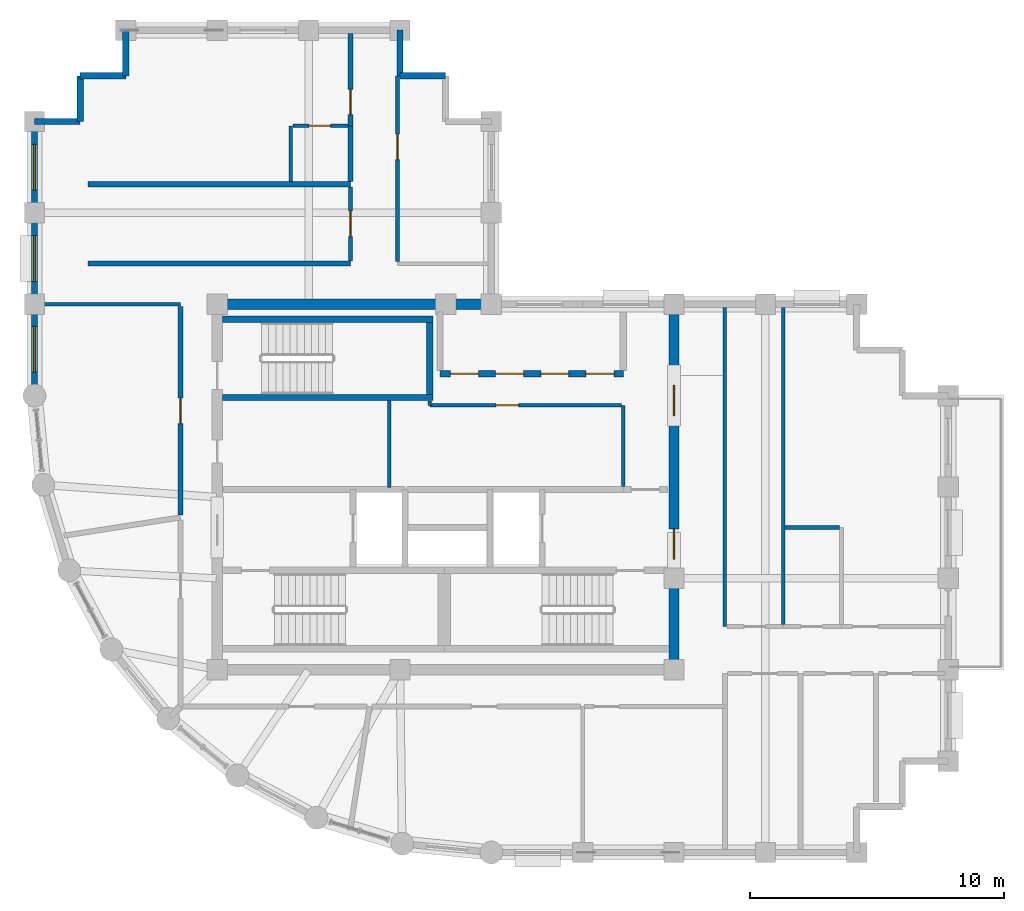
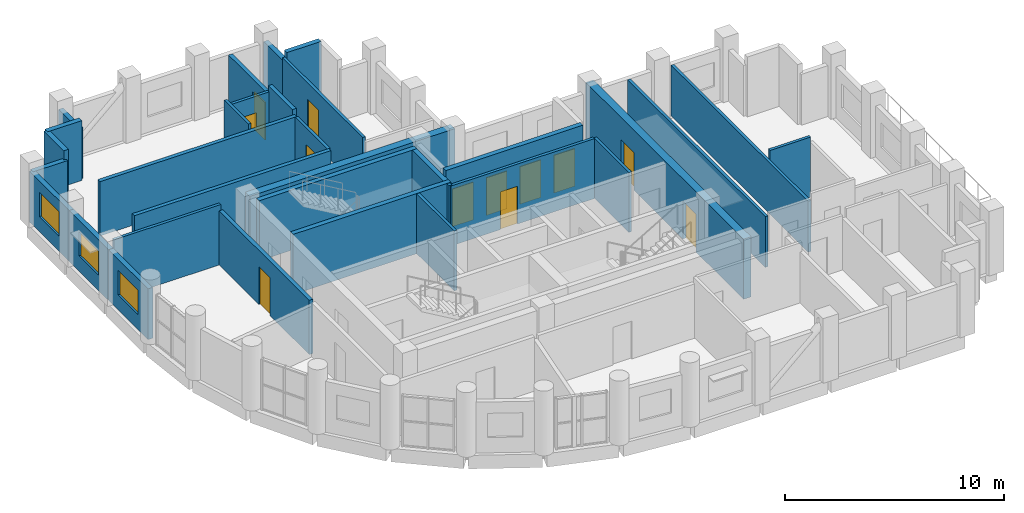
# One storey, part 8 of 12: 32 walls, 12 doors, 3 windows, 15 openings.
"""IFC4 building model written with IfcOpenShell, lengths in metres."""

import ifcopenshell
import ifcopenshell.guid

model = None  # the IFC model being written
_history = None  # IfcOwnerHistory: only IFC2X3 demands one
_inside = {}  # id of a spatial element -> (the spatial element, [elements in it])
_under = {}  # id of a project, library or spatial element -> (it, [spatial elements below it])
_declared = {}  # id of a project -> (the project, [libraries it declares])
_typed = {}  # id of a type object -> (the type object, [elements of that type])
_made_of = {}  # id of a material, layer set ... -> (it, [elements and type objects made of it])


def new_model(schema):
    """Start an empty IFC model of exactly this schema.

    Asked for "IFC4X3", IfcOpenShell would pick the latest addendum, in which some entities
    have other attributes; the version numbers below select the first issue.
    IFC2X3 requires an IfcOwnerHistory on every rooted entity: one is made here for all.
    """
    global model, _history
    if schema == "IFC4X3":
        model = ifcopenshell.file(schema_version=(4, 3, 0, 0))
    else:
        model = ifcopenshell.file(schema=schema)
    _inside.clear()
    _under.clear()
    _declared.clear()
    _typed.clear()
    _made_of.clear()
    _history = None
    if model.schema == "IFC2X3":
        org = make("IfcOrganization", Name="unknown")
        user = make(
            "IfcPersonAndOrganization",
            ThePerson=make("IfcPerson", FamilyName="unknown"),
            TheOrganization=org,
        )
        app = make(
            "IfcApplication",
            ApplicationDeveloper=org,
            Version="unknown",
            ApplicationFullName="unknown",
            ApplicationIdentifier="unknown",
        )
        _history = make(
            "IfcOwnerHistory",
            OwningUser=user,
            OwningApplication=app,
            ChangeAction="ADDED",
            CreationDate=0,
        )
    return model


def make(cls, **values):
    """One entity of the class cls with the attributes given. An attribute that is None is left unset."""
    return model.create_entity(
        cls, **{name: value for name, value in values.items() if value is not None}
    )


def rooted(cls, **values):
    """An entity with a GlobalId (a new one), such as an element, a storey or a relation."""
    return make(cls, GlobalId=ifcopenshell.guid.new(), OwnerHistory=_history, **values)


def si_unit(unit_type, name, prefix=None):
    """IfcSIUnit, for example si_unit("LENGTHUNIT", "METRE", prefix="MILLI")."""
    return make("IfcSIUnit", UnitType=unit_type, Prefix=prefix, Name=name)


def assignment(units):
    """IfcUnitAssignment: the units of a project."""
    return None if units is None else make("IfcUnitAssignment", Units=units)


def point(xyz):
    """IfcCartesianPoint."""
    return None if xyz is None else make("IfcCartesianPoint", Coordinates=xyz)


def direction(xyz):
    """IfcDirection."""
    return None if xyz is None else make("IfcDirection", DirectionRatios=xyz)


def frame(location, z_axis=None, x_axis=None):
    """IfcAxis2Placement3D, a coordinate frame: its origin and axes. An axis left out is left unset."""
    return make(
        "IfcAxis2Placement3D",
        Location=point(location),
        Axis=direction(z_axis),
        RefDirection=direction(x_axis),
    )


def frame_2d(location, x_axis=None):
    """IfcAxis2Placement2D, a coordinate frame in the plane: its origin and x axis."""
    return make(
        "IfcAxis2Placement2D", Location=point(location), RefDirection=direction(x_axis)
    )


def origin():
    """The frame at (0, 0, 0) with its axes left unset."""
    return frame((0.0, 0.0, 0.0))


def place(relative_to, where):
    """IfcLocalPlacement: puts the frame where relative to a parent placement (None: the world)."""
    return make(
        "IfcLocalPlacement", PlacementRelTo=relative_to, RelativePlacement=where
    )


def context(
    kind, dimensions, precision=None, world=None, true_north=None, identifier=None
):
    """IfcGeometricRepresentationContext, for example the 3D "Model" context."""
    return make(
        "IfcGeometricRepresentationContext",
        ContextIdentifier=identifier,
        ContextType=kind,
        CoordinateSpaceDimension=dimensions,
        Precision=precision,
        WorldCoordinateSystem=world,
        TrueNorth=true_north,
    )


def subcontext(parent, identifier, kind, view, scale=None):
    """IfcGeometricRepresentationSubContext, for example "Body" below "Model"."""
    return make(
        "IfcGeometricRepresentationSubContext",
        ContextIdentifier=identifier,
        ContextType=kind,
        ParentContext=parent,
        TargetScale=scale,
        TargetView=view,
    )


def project(units=None, contexts=None):
    """IfcProject with its units and contexts."""
    return rooted(
        "IfcProject",
        Name="project",
        RepresentationContexts=contexts,
        UnitsInContext=assignment(units),
    )


def spatial(cls, under=None, at=None, **own):
    """A site, building, storey or space (cls), placed at a placement, below another one or the project."""
    s = rooted(cls, ObjectPlacement=at, **own)
    if under is not None:
        _under.setdefault(under.id(), (under, []))[1].append(s)
    return s


def profile(cls, at=None, kind="AREA", **sizes):
    """A parametric profile (cls). Its sizes go by their IFC names, for example OverallWidth=200.0."""
    return make(cls, ProfileType=kind, Position=at, **sizes)


def rectangle(**sizes):
    """IfcRectangleProfileDef."""
    return profile("IfcRectangleProfileDef", **sizes)


def extrude(swept, where, along, depth):
    """IfcExtrudedAreaSolid: the profile swept, set in the frame where, extruded along a direction by depth."""
    return make(
        "IfcExtrudedAreaSolid",
        SweptArea=swept,
        Position=where,
        ExtrudedDirection=direction(along),
        Depth=depth,
    )


def shape(context_of_items, identifier, shape_type, items):
    """IfcShapeRepresentation: the items that make up one representation, for example the "Body"."""
    return make(
        "IfcShapeRepresentation",
        ContextOfItems=context_of_items,
        RepresentationIdentifier=identifier,
        RepresentationType=shape_type,
        Items=items,
    )


def material(Name=None, Category=None):
    """IfcMaterial."""
    return make("IfcMaterial", Name=Name, Category=Category)


def layer(
    of_material, thickness, ventilated=None, Name=None, Category=None, Priority=None
):
    """IfcMaterialLayer: one layer of a wall or slab, of a material (None: an air gap)."""
    return make(
        "IfcMaterialLayer",
        Material=of_material,
        LayerThickness=thickness,
        IsVentilated=ventilated,
        Name=Name,
        Category=Category,
        Priority=Priority,
    )


def layer_set(layers, Name=None):
    """IfcMaterialLayerSet."""
    return make("IfcMaterialLayerSet", MaterialLayers=layers, LayerSetName=Name)


def made_of(thing, what):
    """Note that an element or type object is made of a material, layer set ...; save() writes the relation."""
    if what is not None:
        _made_of.setdefault(what.id(), (what, []))[1].append(thing)
    return thing


def type_object(cls, material=None, **own):
    """A type object (cls), such as IfcWallType, which elements share."""
    return made_of(rooted(cls, **own), material)


def element(
    cls,
    number,
    at=None,
    inside=None,
    cuts=None,
    type_object=None,
    material=None,
    context=None,
    identifier="Body",
    shape_type=None,
    held_by="IfcProductDefinitionShape",
    body=None,
    shapes=None,
    **own,
):
    """One element of the class cls, such as IfcWall. Its Tag is "e" and its number.

    at: its placement. inside: the storey or other place that contains it. cuts: it is an
    opening in that element (IfcRelVoidsElement). A single representation is given by context,
    identifier, shape_type and body (its items); several are given by shapes. held_by: the class
    of the entity that holds the representations. save() writes the other relations.
    """
    e = rooted(cls, Tag="e%d" % number, ObjectPlacement=at, **own)
    if body is not None:
        shapes = [shape(context, identifier, shape_type, body)]
    if shapes is not None:
        e.Representation = make(held_by, Representations=shapes)
    if inside is not None:
        _inside.setdefault(inside.id(), (inside, []))[1].append(e)
    if cuts is not None:
        rooted(
            "IfcRelVoidsElement", RelatingBuildingElement=cuts, RelatedOpeningElement=e
        )
    if type_object is not None:
        _typed.setdefault(type_object.id(), (type_object, []))[1].append(e)
    return made_of(e, material)


def fill(opening, filler):
    """IfcRelFillsElement: the door or window that sits in an opening."""
    return rooted(
        "IfcRelFillsElement",
        RelatingOpeningElement=opening,
        RelatedBuildingElement=filler,
    )


def aggregate(whole, parts):
    """IfcRelAggregates: a whole, such as a stair, and the parts it consists of."""
    return rooted("IfcRelAggregates", RelatingObject=whole, RelatedObjects=parts)


def save(model, path):
    """Write the relations noted so far, then the file.

    IfcRelAggregates (storeys below a building ...), IfcRelContainedInSpatialStructure (elements
    in a storey), IfcRelDefinesByType, IfcRelAssociatesMaterial and IfcRelDeclares: one each for
    every whole, place, type object, material and project.
    """
    for whole, parts in _under.values():
        aggregate(whole, parts)
    for where, things in _inside.values():
        rooted(
            "IfcRelContainedInSpatialStructure",
            RelatedElements=things,
            RelatingStructure=where,
        )
    for kind, things in _typed.values():
        rooted("IfcRelDefinesByType", RelatedObjects=things, RelatingType=kind)
    for what, things in _made_of.values():
        rooted("IfcRelAssociatesMaterial", RelatedObjects=things, RelatingMaterial=what)
    for by, libraries in _declared.values():
        rooted("IfcRelDeclares", RelatingContext=by, RelatedDefinitions=libraries)
    model.write(path)


model = new_model("IFC4")

# Units and contexts
model_context = context("Model", 3, precision=1e-05, world=origin(), true_north=direction((0.0, 1.0)))
body_context = subcontext(model_context, "Body", "Model", "MODEL_VIEW")
ifc_project = project(units=[si_unit("LENGTHUNIT", "METRE"), si_unit("AREAUNIT", "SQUARE_METRE"), si_unit("VOLUMEUNIT", "CUBIC_METRE"), si_unit("PLANEANGLEUNIT", "RADIAN"), si_unit("MASSUNIT", "GRAM", prefix="KILO")], contexts=[model_context])

# Site, building, storey
site_placement = place(None, origin())
site = spatial("IfcSite", under=ifc_project, at=site_placement, CompositionType="ELEMENT")
building_placement = place(site_placement, origin())
building = spatial("IfcBuilding", under=site, at=building_placement, Name="Solnavia Interchange Tower", CompositionType="ELEMENT")
storey_placement = place(building_placement, frame((0.0, 0.0, 228.199951171875)))
storey = spatial("IfcBuildingStorey", under=building, at=storey_placement, Name="L57", CompositionType="ELEMENT", Elevation=228.199951171875)

# Wall, opening, door
ifc_material_1 = material(Name="Gypsum Acoustic Twin-Stud & Mineral Wool", Category="gypsum")
ifc_layer_1 = layer(ifc_material_1, 0.199951171875)
ifc_layer_set_1 = layer_set([ifc_layer_1], Name="Gypsum Acoustic Twin-Stud & Mineral Wool")
wall_type_1 = type_object("IfcWallType", Name="Wall-ApartmentParty-200", PredefinedType="PARTITIONING", material=ifc_layer_set_1)
wall_1_placement = place(storey_placement, frame((12.949951171875, 16.904052734375, 0.0), z_axis=(0.0, 0.0, 1.0), x_axis=(0.0, 1.0, 0.0)))
wall_1 = element("IfcWall", 1, at=wall_1_placement, inside=storey, type_object=wall_type_1, Name="PTW-L57-12 Interior partition wall", PredefinedType="PARTITIONING", context=body_context, shape_type="SweptSolid", body=[
    extrude(rectangle(XDim=8.217041015625, YDim=0.199951171875, at=frame_2d((4.1083984375, 0.0))), origin(), (0.0, 0.0, 1.0), 3.02001953125),
])
opening_1_placement = place(wall_1_placement, frame((3.595947265625, 0.0, 0.0)))
opening_1 = element("IfcOpeningElement", 2, at=opening_1_placement, cuts=wall_1, Name="Opening DR-07", PredefinedType="OPENING", context=body_context, shape_type="SweptSolid", body=[
    extrude(rectangle(XDim=1.0, YDim=2.10009765625, at=frame_2d((0.5, 1.050048828125))), frame((0.0, 0.10986328125, 0.0), z_axis=(0.0, -1.0, 0.0), x_axis=(1.0, 0.0, 0.0)), (0.0, 0.0, 1.0), 0.219970703125),
])
ifc_material_2 = material(Name="Timber & Acoustic Glazed Office Door", Category="wood")
door_type_1 = type_object("IfcDoorType", Name="Door-Office-1000x2100", OperationType="SINGLE_SWING_RIGHT", PredefinedType="DOOR", material=ifc_material_2)
door_1_placement = place(opening_1_placement, origin())
door_1 = element("IfcDoor", 3, at=door_1_placement, inside=storey, type_object=door_type_1, Name="DR-L57-03 Interior room door", OperationType="SINGLE_SWING_LEFT", OverallHeight=2.10009765625, OverallWidth=1.0, PredefinedType="DOOR", context=body_context, shape_type="SweptSolid", body=[
    extrude(rectangle(XDim=1.0, YDim=2.10009765625, at=frame_2d((0.5, 1.050048828125))), frame((0.0, 0.02490234375, 0.0), z_axis=(0.0, -1.0, 0.0), x_axis=(1.0, 0.0, 0.0)), (0.0, 0.0, 1.0), 0.050048828125),
])
fill(opening_1, door_1)

# Walls
for number, where, z_axis, x_axis, name in (
    (4, (9.300048828125, 26.800048828125, 0.0), (0.0, 0.0, 1.0), (1.0, 0.0, 0.0), "PTW-L57-24 Interior partition wall"),
    (5, (9.300048828125, 29.929931640625, 0.0), (0.0, 0.0, 1.0), (1.0, 0.0, 0.0), "PTW-L57-25 Interior partition wall"),
):
    element("IfcWall", number, at=place(storey_placement, frame(where, z_axis=z_axis, x_axis=x_axis)), inside=storey, type_object=wall_type_1, Name=name, PredefinedType="PARTITIONING", context=body_context, shape_type="SweptSolid", body=[
        extrude(rectangle(XDim=10.349853515625, YDim=0.199951171875, at=frame_2d((5.1748046875, 0.0))), origin(), (0.0, 0.0, 1.0), 3.030029296875),
    ])
wall_2_placement = place(storey_placement, frame((19.64990234375, 30.033935546875, 0.0), z_axis=(0.0, 0.0, 1.0), x_axis=(0.0, 1.0, 0.0)))
element("IfcWall", 6, at=wall_2_placement, inside=storey, type_object=wall_type_1, Name="PTW-L57-27 Interior partition wall", PredefinedType="PARTITIONING", context=body_context, shape_type="SweptSolid", body=[
    extrude(rectangle(XDim=2.196044921875, YDim=0.199951171875, at=frame_2d((1.09814453125, 0.0))), origin(), (0.0, 0.0, 1.0), 3.3349609375),
])

# Wall, opening, door
wall_3_placement = place(storey_placement, frame((19.64990234375, 32.22998046875, 0.0), z_axis=(0.0, 0.0, 1.0), x_axis=(0.0, 1.0, 0.0)))
wall_3 = element("IfcWall", 7, at=wall_3_placement, inside=storey, type_object=wall_type_1, Name="PTW-L57-28 Interior partition wall", PredefinedType="PARTITIONING", context=body_context, shape_type="SweptSolid", body=[
    extrude(rectangle(XDim=3.64111328125, YDim=0.199951171875, at=frame_2d((1.820556640625, 0.0))), origin(), (0.0, 0.0, 1.0), 2.830078125),
])
opening_2_placement = place(wall_3_placement, frame((0.43896484375, 0.0, 0.0)))
opening_2 = element("IfcOpeningElement", 8, at=opening_2_placement, cuts=wall_3, Name="Opening DR-06", PredefinedType="OPENING", context=body_context, shape_type="SweptSolid", body=[
    extrude(rectangle(XDim=1.0, YDim=2.10009765625, at=frame_2d((0.5, 1.050048828125))), frame((0.0, 0.10986328125, 0.0), z_axis=(0.0, -1.0, 0.0), x_axis=(1.0, 0.0, 0.0)), (0.0, 0.0, 1.0), 0.219970703125),
])
ifc_material_3 = material(Name="Engineered Timber Acoustic Fire Door", Category="wood")
door_type_2 = type_object("IfcDoorType", Name="Door-FlatEntry-1000x2100", OperationType="SINGLE_SWING_LEFT", PredefinedType="DOOR", material=ifc_material_3)
door_2_placement = place(opening_2_placement, origin())
door_2 = element("IfcDoor", 9, at=door_2_placement, inside=storey, type_object=door_type_2, Name="DR-L57-13 Interior room door", OperationType="SINGLE_SWING_RIGHT", OverallHeight=2.10009765625, OverallWidth=1.0, PredefinedType="DOOR", context=body_context, shape_type="SweptSolid", body=[
    extrude(rectangle(XDim=1.0, YDim=2.10009765625, at=frame_2d((0.5, 1.050048828125))), frame((0.0, 0.02490234375, 0.0), z_axis=(0.0, -1.0, 0.0), x_axis=(1.0, 0.0, 0.0)), (0.0, 0.0, 1.0), 0.050048828125),
])
fill(opening_2, door_2)

# Walls
ifc_material_4 = material(Name="Concrete C40/50", Category="concrete")
ifc_layer_2 = layer(ifc_material_4, 0.25)
ifc_layer_set_2 = layer_set([ifc_layer_2], Name="Concrete C40/50")
wall_type_2 = type_object("IfcWallType", Name="Wall-ExtSpandrel-250", PredefinedType="STANDARD", material=ifc_layer_set_2)
wall_4_placement = place(storey_placement, frame((21.60009765625, 34.199951171875, 0.0), z_axis=(0.0, 0.0, 1.0), x_axis=(1.0, 0.0, 0.0)))
element("IfcWall", 10, at=wall_4_placement, inside=storey, type_object=wall_type_2, Name="EXW-L57-25 Exterior precast spandrel wall", PredefinedType="STANDARD", context=body_context, shape_type="SweptSolid", body=[
    extrude(rectangle(XDim=1.7998046875, YDim=0.25, at=frame_2d((0.89990234375, 0.0))), origin(), (0.0, 0.0, 1.0), 3.3349609375),
])
for number, where, z_axis, x_axis, name in (
    (11, (21.60009765625, 34.199951171875, 0.0), (0.0, 0.0, 1.0), (0.0, 1.0, 0.0), "EXW-L57-26 Exterior precast spandrel wall"),
    (12, (10.800048828125, 34.199951171875, 0.0), (0.0, 0.0, 1.0), (0.0, 1.0, 0.0), "EXW-L57-30 Exterior precast spandrel wall"),
):
    element("IfcWall", number, at=place(storey_placement, frame(where, z_axis=z_axis, x_axis=x_axis)), inside=storey, type_object=wall_type_2, Name=name, PredefinedType="STANDARD", context=body_context, shape_type="SweptSolid", body=[
        extrude(rectangle(XDim=1.800048828125, YDim=0.25, at=frame_2d((0.89990234375, 0.0))), origin(), (0.0, 0.0, 1.0), 2.830078125),
    ])
for number, where, z_axis, x_axis, name in (
    (13, (9.0, 34.199951171875, 0.0), (0.0, 0.0, 1.0), (1.0, 0.0, 0.0), "EXW-L57-31 Exterior precast spandrel wall"),
    (14, (9.0, 32.39990234375, 0.0), (0.0, 0.0, 1.0), (0.0, 1.0, 0.0), "EXW-L57-32 Exterior precast spandrel wall"),
):
    element("IfcWall", number, at=place(storey_placement, frame(where, z_axis=z_axis, x_axis=x_axis)), inside=storey, type_object=wall_type_2, Name=name, PredefinedType="STANDARD", context=body_context, shape_type="SweptSolid", body=[
        extrude(rectangle(XDim=1.800048828125, YDim=0.25, at=frame_2d((0.89990234375, 0.0))), origin(), (0.0, 0.0, 1.0), 3.3349609375),
    ])
wall_5_placement = place(storey_placement, frame((7.199951171875, 32.39990234375, 0.0), z_axis=(0.0, 0.0, 1.0), x_axis=(1.0, 0.0, 0.0)))
element("IfcWall", 15, at=wall_5_placement, inside=storey, type_object=wall_type_2, Name="EXW-L57-33 Exterior precast spandrel wall", PredefinedType="STANDARD", context=body_context, shape_type="SweptSolid", body=[
    extrude(rectangle(XDim=1.800048828125, YDim=0.25, at=frame_2d((0.89990234375, 0.0))), origin(), (0.0, 0.0, 1.0), 2.830078125),
])

# Wall, opening, window
wall_6_placement = place(storey_placement, frame((7.199951171875, 28.800048828125, 0.0), z_axis=(0.0, 0.0, 1.0), x_axis=(0.0, 1.0, 0.0)))
wall_6 = element("IfcWall", 16, at=wall_6_placement, inside=storey, type_object=wall_type_2, Name="EXW-L57-34 Exterior precast spandrel wall", PredefinedType="STANDARD", context=body_context, shape_type="SweptSolid", body=[
    extrude(rectangle(XDim=3.599853515625, YDim=0.25, at=frame_2d((1.7998046875, 0.0))), origin(), (0.0, 0.0, 1.0), 2.830078125),
])
opening_3_placement = place(wall_6_placement, frame((0.89990234375, 0.0, 0.85009765625)))
opening_3 = element("IfcOpeningElement", 17, at=opening_3_placement, cuts=wall_6, Name="Opening WIN-02", PredefinedType="OPENING", context=body_context, shape_type="SweptSolid", body=[
    extrude(rectangle(XDim=1.800048828125, YDim=1.35009765625, at=frame_2d((0.89990234375, 0.675048828125))), frame((0.0, 0.135009765625, 0.0), z_axis=(0.0, -1.0, 0.0), x_axis=(1.0, 0.0, 0.0)), (0.0, 0.0, 1.0), 0.27001953125),
])
ifc_material_5 = material(Name="Thermal-Break Aluminium & Low-E Glass", Category="aluminium")
window_type = type_object("IfcWindowType", Name="Window-Ribbon-1800x1350", PartitioningType="SINGLE_PANEL", PredefinedType="WINDOW", material=ifc_material_5)
window_1_placement = place(opening_3_placement, origin())
window_1 = element("IfcWindow", 18, at=window_1_placement, inside=storey, type_object=window_type, Name="WIN-L57-34 Facade ribbon window", OverallHeight=1.35009765625, OverallWidth=1.800048828125, PartitioningType="SINGLE_PANEL", PredefinedType="WINDOW", context=body_context, shape_type="SweptSolid", body=[
    extrude(rectangle(XDim=1.800048828125, YDim=1.35009765625, at=frame_2d((0.89990234375, 0.675048828125))), frame((0.0, 0.030029296875, 0.0), z_axis=(0.0, -1.0, 0.0), x_axis=(1.0, 0.0, 0.0)), (0.0, 0.0, 1.0), 0.06005859375),
])
fill(opening_3, window_1)

wall_7_placement = place(storey_placement, frame((7.199951171875, 25.199951171875, 0.0), z_axis=(0.0, 0.0, 1.0), x_axis=(0.0, 1.0, 0.0)))
wall_7 = element("IfcWall", 19, at=wall_7_placement, inside=storey, type_object=wall_type_2, Name="EXW-L57-35 Exterior precast spandrel wall", PredefinedType="STANDARD", context=body_context, shape_type="SweptSolid", body=[
    extrude(rectangle(XDim=3.60009765625, YDim=0.25, at=frame_2d((1.800048828125, 0.0))), origin(), (0.0, 0.0, 1.0), 2.830078125),
])
opening_4_placement = place(wall_7_placement, frame((0.89990234375, 0.0, 0.85009765625)))
opening_4 = element("IfcOpeningElement", 20, at=opening_4_placement, cuts=wall_7, Name="Opening WIN-02", PredefinedType="OPENING", context=body_context, shape_type="SweptSolid", body=[
    extrude(rectangle(XDim=1.800048828125, YDim=1.35009765625, at=frame_2d((0.89990234375, 0.675048828125))), frame((0.0, 0.135009765625, 0.0), z_axis=(0.0, -1.0, 0.0), x_axis=(1.0, 0.0, 0.0)), (0.0, 0.0, 1.0), 0.27001953125),
])
window_2_placement = place(opening_4_placement, origin())
window_2 = element("IfcWindow", 21, at=window_2_placement, inside=storey, type_object=window_type, Name="WIN-L57-35 Facade ribbon window", OverallHeight=1.35009765625, OverallWidth=1.800048828125, PartitioningType="SINGLE_PANEL", PredefinedType="WINDOW", context=body_context, shape_type="SweptSolid", body=[
    extrude(rectangle(XDim=1.800048828125, YDim=1.35009765625, at=frame_2d((0.89990234375, 0.675048828125))), frame((0.0, 0.030029296875, 0.0), z_axis=(0.0, -1.0, 0.0), x_axis=(1.0, 0.0, 0.0)), (0.0, 0.0, 1.0), 0.06005859375),
])
fill(opening_4, window_2)

wall_8_placement = place(storey_placement, frame((7.199951171875, 21.60009765625, 0.0), z_axis=(0.0, 0.0, 1.0), x_axis=(0.0, 1.0, 0.0)))
wall_8 = element("IfcWall", 22, at=wall_8_placement, inside=storey, type_object=wall_type_2, Name="EXW-L57-36 Exterior precast spandrel wall", PredefinedType="STANDARD", context=body_context, shape_type="SweptSolid", body=[
    extrude(rectangle(XDim=3.599853515625, YDim=0.25, at=frame_2d((1.7998046875, 0.0))), origin(), (0.0, 0.0, 1.0), 2.830078125),
])
opening_5_placement = place(wall_8_placement, frame((0.925048828125, 0.0, 0.85009765625)))
opening_5 = element("IfcOpeningElement", 23, at=opening_5_placement, cuts=wall_8, Name="Opening WIN-02", PredefinedType="OPENING", context=body_context, shape_type="SweptSolid", body=[
    extrude(rectangle(XDim=1.800048828125, YDim=1.35009765625, at=frame_2d((0.89990234375, 0.675048828125))), frame((0.0, 0.135009765625, 0.0), z_axis=(0.0, -1.0, 0.0), x_axis=(1.0, 0.0, 0.0)), (0.0, 0.0, 1.0), 0.27001953125),
])
window_3_placement = place(opening_5_placement, origin())
window_3 = element("IfcWindow", 24, at=window_3_placement, inside=storey, type_object=window_type, Name="WIN-L57-36 Facade ribbon window", OverallHeight=1.35009765625, OverallWidth=1.800048828125, PartitioningType="SINGLE_PANEL", PredefinedType="WINDOW", context=body_context, shape_type="SweptSolid", body=[
    extrude(rectangle(XDim=1.800048828125, YDim=1.35009765625, at=frame_2d((0.89990234375, 0.675048828125))), frame((0.0, 0.030029296875, 0.0), z_axis=(0.0, -1.0, 0.0), x_axis=(1.0, 0.0, 0.0)), (0.0, 0.0, 1.0), 0.06005859375),
])
fill(opening_5, window_3)

# Wall, opening, door
ifc_material_6 = material(Name="Gypsum Plasterboard & Steel Stud", Category="steel")
ifc_layer_3 = layer(ifc_material_6, 0.14990234375)
ifc_layer_set_3 = layer_set([ifc_layer_3], Name="Gypsum Plasterboard & Steel Stud")
wall_type_3 = type_object("IfcWallType", Name="Wall-Partition-150", PredefinedType="PARTITIONING", material=ifc_layer_set_3)
wall_9_placement = place(storey_placement, frame((22.77490234375, 21.219970703125, 0.0), z_axis=(0.0, 0.0, 1.0), x_axis=(1.0, 0.0, 0.0)))
wall_9 = element("IfcWall", 25, at=wall_9_placement, inside=storey, type_object=wall_type_3, Name="CSW-L57-N-ALL Core shaft wall", PredefinedType="PARTITIONING", context=body_context, shape_type="SweptSolid", body=[
    extrude(rectangle(XDim=7.545166015625, YDim=0.14990234375, at=frame_2d((3.7724609375, 0.0))), origin(), (0.0, 0.0, 1.0), 3.3349609375),
])
opening_6_placement = place(wall_9_placement, frame((2.60009765625, 0.0, 0.0)))
opening_6 = element("IfcOpeningElement", 26, at=opening_6_placement, cuts=wall_9, Name="Opening DR-09", PredefinedType="OPENING", context=body_context, shape_type="SweptSolid", body=[
    extrude(rectangle(XDim=0.89990234375, YDim=2.10009765625, at=frame_2d((0.449951171875, 1.050048828125))), frame((0.0, 0.0849609375, 0.0), z_axis=(0.0, -1.0, 0.0), x_axis=(1.0, 0.0, 0.0)), (0.0, 0.0, 1.0), 0.169921875),
])
ifc_material_7 = material(Name="Engineered Oak Veneer Door", Category="wood")
door_type_3 = type_object("IfcDoorType", Name="Door-Internal-900x2100", OperationType="SINGLE_SWING_LEFT", PredefinedType="DOOR", material=ifc_material_7)
door_3_placement = place(opening_6_placement, origin())
door_3 = element("IfcDoor", 27, at=door_3_placement, inside=storey, type_object=door_type_3, Name="DR-L57-CS2 Core fire door", OperationType="SINGLE_SWING_RIGHT", OverallHeight=2.10009765625, OverallWidth=0.89990234375, PredefinedType="DOOR", context=body_context, shape_type="SweptSolid", body=[
    extrude(rectangle(XDim=0.89990234375, YDim=2.10009765625, at=frame_2d((0.449951171875, 1.050048828125))), frame((0.0, 0.02490234375, 0.0), z_axis=(0.0, -1.0, 0.0), x_axis=(1.0, 0.0, 0.0)), (0.0, 0.0, 1.0), 0.050048828125),
])
fill(opening_6, door_3)

# Walls
wall_10_placement = place(storey_placement, frame((22.77490234375, 21.219970703125, 0.0), z_axis=(0.0, 0.0, 1.0), x_axis=(0.0, 1.0, 0.0)))
element("IfcWall", 28, at=wall_10_placement, inside=storey, type_object=wall_type_3, Name="CSW-L57-ST-TIE Core shaft wall", PredefinedType="PARTITIONING", context=body_context, shape_type="SweptSolid", body=[
    extrude(rectangle(XDim=0.175048828125, YDim=0.14990234375, at=frame_2d((0.08740234375, 0.0))), origin(), (0.0, 0.0, 1.0), 3.3349609375),
])
wall_11_placement = place(storey_placement, frame((30.39990234375, 18.02001953125, 0.0), z_axis=(0.0, 0.0, 1.0), x_axis=(0.0, 1.0, 0.0)))
element("IfcWall", 29, at=wall_11_placement, inside=storey, type_object=wall_type_3, Name="CSW-L57-E-E Core shaft wall", PredefinedType="PARTITIONING", context=body_context, shape_type="SweptSolid", body=[
    extrude(rectangle(XDim=3.199951171875, YDim=0.14990234375, at=frame_2d((1.60009765625, 0.0))), origin(), (0.0, 0.0, 1.0), 3.3349609375),
])
wall_12_placement = place(storey_placement, frame((21.179931640625, 17.97998046875, 0.0), z_axis=(0.0, 0.0, 1.0), x_axis=(0.0, 1.0, 0.0)))
element("IfcWall", 30, at=wall_12_placement, inside=storey, type_object=wall_type_3, Name="CSW-L57-M0 Core shaft wall", PredefinedType="PARTITIONING", context=body_context, shape_type="SweptSolid", body=[
    extrude(rectangle(XDim=3.419921875, YDim=0.14990234375, at=frame_2d((1.7099609375, 0.0))), origin(), (0.0, 0.0, 1.0), 3.3349609375),
])
wall_13_placement = place(storey_placement, frame((7.3291015625, 25.199951171875, 0.0), z_axis=(0.0, 0.0, 1.0), x_axis=(1.0, 0.0, 0.0)))
element("IfcWall", 31, at=wall_13_placement, inside=storey, type_object=wall_type_3, Name="PTW-L57-07 Interior partition wall", PredefinedType="PARTITIONING", context=body_context, shape_type="SweptSolid", body=[
    extrude(rectangle(XDim=5.620849609375, YDim=0.14990234375, at=frame_2d((2.810546875, 0.0))), origin(), (0.0, 0.0, 1.0), 3.3349609375),
])

# Wall, opening, door
wall_14_placement = place(storey_placement, frame((19.64990234375, 26.904052734375, 0.0), z_axis=(0.0, 0.0, 1.0), x_axis=(0.0, 1.0, 0.0)))
wall_14 = element("IfcWall", 32, at=wall_14_placement, inside=storey, type_object=wall_type_3, Name="PTW-L57-26 Interior partition wall", PredefinedType="PARTITIONING", context=body_context, shape_type="SweptSolid", body=[
    extrude(rectangle(XDim=2.921875, YDim=0.14990234375, at=frame_2d((1.4609375, 0.0))), origin(), (0.0, 0.0, 1.0), 3.030029296875),
])
opening_7_placement = place(wall_14_placement, frame((0.9609375, 0.0, 0.0)))
opening_7 = element("IfcOpeningElement", 33, at=opening_7_placement, cuts=wall_14, Name="Opening DR-07", PredefinedType="OPENING", context=body_context, shape_type="SweptSolid", body=[
    extrude(rectangle(XDim=1.0, YDim=2.10009765625, at=frame_2d((0.5, 1.050048828125))), frame((0.0, 0.0849609375, 0.0), z_axis=(0.0, -1.0, 0.0), x_axis=(1.0, 0.0, 0.0)), (0.0, 0.0, 1.0), 0.169921875),
])
door_4_placement = place(opening_7_placement, origin())
door_4 = element("IfcDoor", 34, at=door_4_placement, inside=storey, type_object=door_type_1, Name="DR-L57-12 Interior room door", OperationType="SINGLE_SWING_RIGHT", OverallHeight=2.10009765625, OverallWidth=1.0, PredefinedType="DOOR", context=body_context, shape_type="SweptSolid", body=[
    extrude(rectangle(XDim=1.0, YDim=2.10009765625, at=frame_2d((0.5, 1.050048828125))), frame((0.0, 0.02490234375, 0.0), z_axis=(0.0, -1.0, 0.0), x_axis=(1.0, 0.0, 0.0)), (0.0, 0.0, 1.0), 0.050048828125),
])
fill(opening_7, door_4)

wall_15_placement = place(storey_placement, frame((21.5, 26.87890625, 0.0), z_axis=(0.0, 0.0, 1.0), x_axis=(0.0, 1.0, 0.0)))
wall_15 = element("IfcWall", 35, at=wall_15_placement, inside=storey, type_object=wall_type_3, Name="PTW-L57-32 Interior partition wall", PredefinedType="PARTITIONING", context=body_context, shape_type="SweptSolid", body=[
    extrude(rectangle(XDim=7.321044921875, YDim=0.14990234375, at=frame_2d((3.66064453125, 0.0))), origin(), (0.0, 0.0, 1.0), 3.030029296875),
])
opening_8_placement = place(wall_15_placement, frame((4.02099609375, 0.0, 0.0)))
opening_8 = element("IfcOpeningElement", 36, at=opening_8_placement, cuts=wall_15, Name="Opening DR-07", PredefinedType="OPENING", context=body_context, shape_type="SweptSolid", body=[
    extrude(rectangle(XDim=1.0, YDim=2.10009765625, at=frame_2d((0.5, 1.050048828125))), frame((0.0, 0.0849609375, 0.0), z_axis=(0.0, -1.0, 0.0), x_axis=(1.0, 0.0, 0.0)), (0.0, 0.0, 1.0), 0.169921875),
])
door_5_placement = place(opening_8_placement, origin())
door_5 = element("IfcDoor", 37, at=door_5_placement, inside=storey, type_object=door_type_1, Name="DR-L57-15 Interior room door", OperationType="SINGLE_SWING_LEFT", OverallHeight=2.10009765625, OverallWidth=1.0, PredefinedType="DOOR", context=body_context, shape_type="SweptSolid", body=[
    extrude(rectangle(XDim=1.0, YDim=2.10009765625, at=frame_2d((0.5, 1.050048828125))), frame((0.0, 0.02490234375, 0.0), z_axis=(0.0, -1.0, 0.0), x_axis=(1.0, 0.0, 0.0)), (0.0, 0.0, 1.0), 0.050048828125),
])
fill(opening_8, door_5)

# Walls
ifc_layer_4 = layer(ifc_material_4, 0.25)
ifc_layer_set_4 = layer_set([ifc_layer_4], Name="Concrete C40/50")
wall_type_4 = type_object("IfcWallType", Name="Wall-ShaftCore-250", PredefinedType="SHEAR", material=ifc_layer_set_4)
for number, where, z_axis, x_axis, name in (
    (38, (14.60009765625, 21.52490234375, 0.0), (0.0, 0.0, 1.0), (1.0, 0.0, 0.0), "SHW-L57-ST3S Core shear wall"),
    (39, (14.60009765625, 24.614990234375, 0.0), (0.0, 0.0, 1.0), (1.0, 0.0, 0.0), "SHW-L57-ST3N Core shear wall"),
):
    element("IfcWall", number, at=place(storey_placement, frame(where, z_axis=z_axis, x_axis=x_axis)), inside=storey, type_object=wall_type_4, Name=name, PredefinedType="SHEAR", context=body_context, shape_type="SweptSolid", body=[
        extrude(rectangle(XDim=8.2998046875, YDim=0.25, at=frame_2d((4.14990234375, 0.0))), origin(), (0.0, 0.0, 1.0), 3.35009765625),
    ])
wall_16_placement = place(storey_placement, frame((22.77490234375, 21.64990234375, 0.0), z_axis=(0.0, 0.0, 1.0), x_axis=(0.0, 1.0, 0.0)))
element("IfcWall", 40, at=wall_16_placement, inside=storey, type_object=wall_type_4, Name="SHW-L57-ST3E Core shear wall", PredefinedType="SHEAR", context=body_context, shape_type="SweptSolid", body=[
    extrude(rectangle(XDim=2.840087890625, YDim=0.25, at=frame_2d((1.419921875, 0.0))), origin(), (0.0, 0.0, 1.0), 3.35009765625),
])

# Wall, openings, doors
ifc_layer_5 = layer(ifc_material_4, 0.25)
ifc_layer_set_5 = layer_set([ifc_layer_5], Name="Concrete C40/50")
wall_type_5 = type_object("IfcWallType", Name="Wall-ShaftPart-250", PredefinedType="PARTITIONING", material=ifc_layer_set_5)
wall_17_placement = place(storey_placement, frame((23.179931640625, 22.4599609375, 0.0), z_axis=(0.0, 0.0, 1.0), x_axis=(1.0, 0.0, 0.0)))
wall_17 = element("IfcWall", 41, at=wall_17_placement, inside=storey, type_object=wall_type_5, Name="SHW-L57-B3S Core shaft wall", PredefinedType="PARTITIONING", context=body_context, shape_type="SweptSolid", body=[
    extrude(rectangle(XDim=7.219970703125, YDim=0.25, at=frame_2d((3.60986328125, 0.0))), origin(), (0.0, 0.0, 1.0), 3.3349609375),
])
opening_9_placement = place(wall_17_placement, frame((0.409912109375, 0.0, 0.0)))
opening_9 = element("IfcOpeningElement", 42, at=opening_9_placement, cuts=wall_17, Name="Opening LD-01", PredefinedType="OPENING", context=body_context, shape_type="SweptSolid", body=[
    extrude(rectangle(XDim=1.10009765625, YDim=2.10009765625, at=frame_2d((0.550048828125, 1.050048828125))), frame((0.0, 0.135009765625, 0.0), z_axis=(0.0, -1.0, 0.0), x_axis=(1.0, 0.0, 0.0)), (0.0, 0.0, 1.0), 0.27001953125),
])
opening_10_placement = place(wall_17_placement, frame((2.18994140625, 0.0, 0.0)))
opening_10 = element("IfcOpeningElement", 43, at=opening_10_placement, cuts=wall_17, Name="Opening LD-01", PredefinedType="OPENING", context=body_context, shape_type="SweptSolid", body=[
    extrude(rectangle(XDim=1.10009765625, YDim=2.10009765625, at=frame_2d((0.550048828125, 1.050048828125))), frame((0.0, 0.135009765625, 0.0), z_axis=(0.0, -1.0, 0.0), x_axis=(1.0, 0.0, 0.0)), (0.0, 0.0, 1.0), 0.27001953125),
])
opening_11_placement = place(wall_17_placement, frame((3.969970703125, 0.0, 0.0)))
opening_11 = element("IfcOpeningElement", 44, at=opening_11_placement, cuts=wall_17, Name="Opening LD-01", PredefinedType="OPENING", context=body_context, shape_type="SweptSolid", body=[
    extrude(rectangle(XDim=1.10009765625, YDim=2.10009765625, at=frame_2d((0.550048828125, 1.050048828125))), frame((0.0, 0.135009765625, 0.0), z_axis=(0.0, -1.0, 0.0), x_axis=(1.0, 0.0, 0.0)), (0.0, 0.0, 1.0), 0.27001953125),
])
opening_12_placement = place(wall_17_placement, frame((5.75, 0.0, 0.0)))
opening_12 = element("IfcOpeningElement", 45, at=opening_12_placement, cuts=wall_17, Name="Opening LD-01", PredefinedType="OPENING", context=body_context, shape_type="SweptSolid", body=[
    extrude(rectangle(XDim=1.10009765625, YDim=2.10009765625, at=frame_2d((0.550048828125, 1.050048828125))), frame((0.0, 0.135009765625, 0.0), z_axis=(0.0, -1.0, 0.0), x_axis=(1.0, 0.0, 0.0)), (0.0, 0.0, 1.0), 0.27001953125),
])
ifc_material_8 = material(Name="Brushed Stainless Steel Sliding Door", Category="steel")
door_type_4 = type_object("IfcDoorType", Name="Door-LiftLanding-1100x2100", OperationType="SLIDING_TO_LEFT", PredefinedType="DOOR", material=ifc_material_8)
door_6_placement = place(opening_9_placement, origin())
door_6 = element("IfcDoor", 46, at=door_6_placement, inside=storey, type_object=door_type_4, Name="LD-L57-B3-1 Lift landing sliding door", OperationType="SLIDING_TO_LEFT", OverallHeight=2.10009765625, OverallWidth=1.10009765625, PredefinedType="DOOR", context=body_context, shape_type="SweptSolid", body=[
    extrude(rectangle(XDim=1.10009765625, YDim=2.10009765625, at=frame_2d((0.550048828125, 1.050048828125))), frame((0.0, 0.02490234375, 0.0), z_axis=(0.0, -1.0, 0.0), x_axis=(1.0, 0.0, 0.0)), (0.0, 0.0, 1.0), 0.050048828125),
])
fill(opening_9, door_6)
door_7_placement = place(opening_10_placement, origin())
door_7 = element("IfcDoor", 47, at=door_7_placement, inside=storey, type_object=door_type_4, Name="LD-L57-B3-2 Lift landing sliding door", OperationType="SLIDING_TO_LEFT", OverallHeight=2.10009765625, OverallWidth=1.10009765625, PredefinedType="DOOR", context=body_context, shape_type="SweptSolid", body=[
    extrude(rectangle(XDim=1.10009765625, YDim=2.10009765625, at=frame_2d((0.550048828125, 1.050048828125))), frame((0.0, 0.02490234375, 0.0), z_axis=(0.0, -1.0, 0.0), x_axis=(1.0, 0.0, 0.0)), (0.0, 0.0, 1.0), 0.050048828125),
])
fill(opening_10, door_7)
door_8_placement = place(opening_11_placement, origin())
door_8 = element("IfcDoor", 48, at=door_8_placement, inside=storey, type_object=door_type_4, Name="LD-L57-B3-3 Lift landing sliding door", OperationType="SLIDING_TO_LEFT", OverallHeight=2.10009765625, OverallWidth=1.10009765625, PredefinedType="DOOR", context=body_context, shape_type="SweptSolid", body=[
    extrude(rectangle(XDim=1.10009765625, YDim=2.10009765625, at=frame_2d((0.550048828125, 1.050048828125))), frame((0.0, 0.02490234375, 0.0), z_axis=(0.0, -1.0, 0.0), x_axis=(1.0, 0.0, 0.0)), (0.0, 0.0, 1.0), 0.050048828125),
])
fill(opening_11, door_8)
door_9_placement = place(opening_12_placement, origin())
door_9 = element("IfcDoor", 49, at=door_9_placement, inside=storey, type_object=door_type_4, Name="LD-L57-B3-4 Lift landing sliding door", OperationType="SLIDING_TO_LEFT", OverallHeight=2.10009765625, OverallWidth=1.10009765625, PredefinedType="DOOR", context=body_context, shape_type="SweptSolid", body=[
    extrude(rectangle(XDim=1.10009765625, YDim=2.10009765625, at=frame_2d((0.550048828125, 1.050048828125))), frame((0.0, 0.02490234375, 0.0), z_axis=(0.0, -1.0, 0.0), x_axis=(1.0, 0.0, 0.0)), (0.0, 0.0, 1.0), 0.050048828125),
])
fill(opening_12, door_9)

# Wall
ifc_material_9 = material(Name="Concrete C50/60", Category="concrete")
ifc_layer_6 = layer(ifc_material_9, 0.39990234375)
ifc_layer_set_6 = layer_set([ifc_layer_6], Name="Concrete C50/60")
wall_type_6 = type_object("IfcWallType", Name="Wall-ShearCore-400", PredefinedType="SHEAR", material=ifc_layer_set_6)
wall_18_placement = place(storey_placement, frame((14.39990234375, 25.199951171875, 0.0), z_axis=(0.0, 0.0, 1.0), x_axis=(1.0, 0.0, 0.0)))
element("IfcWall", 50, at=wall_18_placement, inside=storey, type_object=wall_type_6, Name="CRW-L57-N Core shear wall", PredefinedType="SHEAR", context=body_context, shape_type="SweptSolid", body=[
    extrude(rectangle(XDim=10.800048828125, YDim=0.39990234375, at=frame_2d((5.39990234375, 0.0))), origin(), (0.0, 0.0, 1.0), 3.35009765625),
])

# Wall, openings, doors
wall_19_placement = place(storey_placement, frame((32.39990234375, 10.800048828125, 0.0), z_axis=(0.0, 0.0, 1.0), x_axis=(0.0, 1.0, 0.0)))
wall_19 = element("IfcWall", 51, at=wall_19_placement, inside=storey, type_object=wall_type_6, Name="CRW-L57-E Core shear wall", PredefinedType="SHEAR", context=body_context, shape_type="SweptSolid", body=[
    extrude(rectangle(XDim=14.39990234375, YDim=0.39990234375, at=frame_2d((7.199951171875, 0.0))), origin(), (0.0, 0.0, 1.0), 3.35009765625),
])
opening_13_placement = place(wall_19_placement, frame((4.35009765625, 0.0, 0.0)))
opening_13 = element("IfcOpeningElement", 52, at=opening_13_placement, cuts=wall_19, Name="Opening DR-02", PredefinedType="OPENING", context=body_context, shape_type="SweptSolid", body=[
    extrude(rectangle(XDim=1.199951171875, YDim=2.10009765625, at=frame_2d((0.60009765625, 1.050048828125))), frame((0.0, 0.2099609375, 0.0), z_axis=(0.0, -1.0, 0.0), x_axis=(1.0, 0.0, 0.0)), (0.0, 0.0, 1.0), 0.419921875),
])
opening_14_placement = place(wall_19_placement, frame((10.0, 0.0, 0.0)))
opening_14 = element("IfcOpeningElement", 53, at=opening_14_placement, cuts=wall_19, Name="Opening DR-02", PredefinedType="OPENING", context=body_context, shape_type="SweptSolid", body=[
    extrude(rectangle(XDim=1.199951171875, YDim=2.10009765625, at=frame_2d((0.60009765625, 1.050048828125))), frame((0.0, 0.2099609375, 0.0), z_axis=(0.0, -1.0, 0.0), x_axis=(1.0, 0.0, 0.0)), (0.0, 0.0, 1.0), 0.419921875),
])
ifc_material_10 = material(Name="Steel Fire-Rated Vision-Panel Door", Category="steel")
door_type_5 = type_object("IfcDoorType", Name="Door-LobbyFire-1200x2100", OperationType="SINGLE_SWING_RIGHT", PredefinedType="DOOR", material=ifc_material_10)
door_10_placement = place(opening_13_placement, origin())
door_10 = element("IfcDoor", 54, at=door_10_placement, inside=storey, type_object=door_type_5, Name="DR-L57-FFL2E Core fire door", OperationType="SINGLE_SWING_LEFT", OverallHeight=2.10009765625, OverallWidth=1.199951171875, PredefinedType="DOOR", context=body_context, shape_type="SweptSolid", body=[
    extrude(rectangle(XDim=1.199951171875, YDim=2.10009765625, at=frame_2d((0.60009765625, 1.050048828125))), frame((0.0, 0.02490234375, 0.0), z_axis=(0.0, -1.0, 0.0), x_axis=(1.0, 0.0, 0.0)), (0.0, 0.0, 1.0), 0.050048828125),
])
fill(opening_13, door_10)
door_11_placement = place(opening_14_placement, origin())
door_11 = element("IfcDoor", 55, at=door_11_placement, inside=storey, type_object=door_type_5, Name="DR-L57-LLE Core fire door", OperationType="SINGLE_SWING_RIGHT", OverallHeight=2.10009765625, OverallWidth=1.199951171875, PredefinedType="DOOR", context=body_context, shape_type="SweptSolid", body=[
    extrude(rectangle(XDim=1.199951171875, YDim=2.10009765625, at=frame_2d((0.60009765625, 1.050048828125))), frame((0.0, 0.02490234375, 0.0), z_axis=(0.0, -1.0, 0.0), x_axis=(1.0, 0.0, 0.0)), (0.0, 0.0, 1.0), 0.050048828125),
])
fill(opening_14, door_11)

# Walls
ifc_material_11 = material(Name="Moisture-Resistant Gypsum & Steel Stud", Category="steel")
ifc_layer_7 = layer(ifc_material_11, 0.14990234375)
ifc_layer_set_7 = layer_set([ifc_layer_7], Name="Moisture-Resistant Gypsum & Steel Stud")
wall_type_7 = type_object("IfcWallType", Name="Wall-WetRoom-150", PredefinedType="PARTITIONING", material=ifc_layer_set_7)
wall_20_placement = place(storey_placement, frame((34.39990234375, 12.5, 0.0), z_axis=(0.0, 0.0, 1.0), x_axis=(0.0, 1.0, 0.0)))
element("IfcWall", 56, at=wall_20_placement, inside=storey, type_object=wall_type_7, Name="PTW-L57-01 Interior partition wall", PredefinedType="PARTITIONING", context=body_context, shape_type="SweptSolid", body=[
    extrude(rectangle(XDim=12.571044921875, YDim=0.14990234375, at=frame_2d((6.28564453125, 0.0))), origin(), (0.0, 0.0, 1.0), 2.830078125),
])
wall_21_placement = place(storey_placement, frame((36.699951171875, 12.5791015625, 0.0), z_axis=(0.0, 0.0, 1.0), x_axis=(0.0, 1.0, 0.0)))
element("IfcWall", 57, at=wall_21_placement, inside=storey, type_object=wall_type_7, Name="PTW-L57-03 Interior partition wall", PredefinedType="PARTITIONING", context=body_context, shape_type="SweptSolid", body=[
    extrude(rectangle(XDim=12.491943359375, YDim=0.14990234375, at=frame_2d((6.24609375, 0.0))), origin(), (0.0, 0.0, 1.0), 2.830078125),
])
wall_22_placement = place(storey_placement, frame((36.779052734375, 16.39990234375, 0.0), z_axis=(0.0, 0.0, 1.0), x_axis=(1.0, 0.0, 0.0)))
element("IfcWall", 58, at=wall_22_placement, inside=storey, type_object=wall_type_7, Name="PTW-L57-06 Interior partition wall", PredefinedType="PARTITIONING", context=body_context, shape_type="SweptSolid", body=[
    extrude(rectangle(XDim=2.141845703125, YDim=0.14990234375, at=frame_2d((1.07080078125, 0.0))), origin(), (0.0, 0.0, 1.0), 3.3349609375),
])
wall_23_placement = place(storey_placement, frame((17.300048828125, 30.033935546875, 0.0), z_axis=(0.0, 0.0, 1.0), x_axis=(0.0, 1.0, 0.0)))
element("IfcWall", 59, at=wall_23_placement, inside=storey, type_object=wall_type_7, Name="PTW-L57-29 Interior partition wall", PredefinedType="PARTITIONING", context=body_context, shape_type="SweptSolid", body=[
    extrude(rectangle(XDim=2.196044921875, YDim=0.14990234375, at=frame_2d((1.09814453125, 0.0))), origin(), (0.0, 0.0, 1.0), 3.3349609375),
])

# Wall, opening, door
wall_24_placement = place(storey_placement, frame((17.37890625, 32.22998046875, 0.0), z_axis=(0.0, 0.0, 1.0), x_axis=(1.0, 0.0, 0.0)))
wall_24 = element("IfcWall", 60, at=wall_24_placement, inside=storey, type_object=wall_type_7, Name="PTW-L57-30 Interior partition wall", PredefinedType="PARTITIONING", context=body_context, shape_type="SweptSolid", body=[
    extrude(rectangle(XDim=2.1669921875, YDim=0.14990234375, at=frame_2d((1.08349609375, 0.0))), origin(), (0.0, 0.0, 1.0), 3.030029296875),
])
opening_15_placement = place(wall_24_placement, frame((0.64111328125, 0.0, 0.0)))
opening_15 = element("IfcOpeningElement", 61, at=opening_15_placement, cuts=wall_24, Name="Opening DR-10", PredefinedType="OPENING", context=body_context, shape_type="SweptSolid", body=[
    extrude(rectangle(XDim=0.85009765625, YDim=2.10009765625, at=frame_2d((0.425048828125, 1.050048828125))), frame((0.0, 0.0849609375, 0.0), z_axis=(0.0, -1.0, 0.0), x_axis=(1.0, 0.0, 0.0)), (0.0, 0.0, 1.0), 0.169921875),
])
ifc_material_12 = material(Name="Moisture-Resistant Timber Door", Category="wood")
door_type_6 = type_object("IfcDoorType", Name="Door-Bathroom-850x2100", OperationType="SINGLE_SWING_RIGHT", PredefinedType="DOOR", material=ifc_material_12)
door_12_placement = place(opening_15_placement, origin())
door_12 = element("IfcDoor", 62, at=door_12_placement, inside=storey, type_object=door_type_6, Name="DR-L57-14 Interior room door", OperationType="SINGLE_SWING_RIGHT", OverallHeight=2.10009765625, OverallWidth=0.85009765625, PredefinedType="DOOR", context=body_context, shape_type="SweptSolid", body=[
    extrude(rectangle(XDim=0.85009765625, YDim=2.10009765625, at=frame_2d((0.425048828125, 1.050048828125))), frame((0.0, 0.02490234375, 0.0), z_axis=(0.0, -1.0, 0.0), x_axis=(1.0, 0.0, 0.0)), (0.0, 0.0, 1.0), 0.050048828125),
])
fill(opening_15, door_12)

save(model, "model.ifc")
